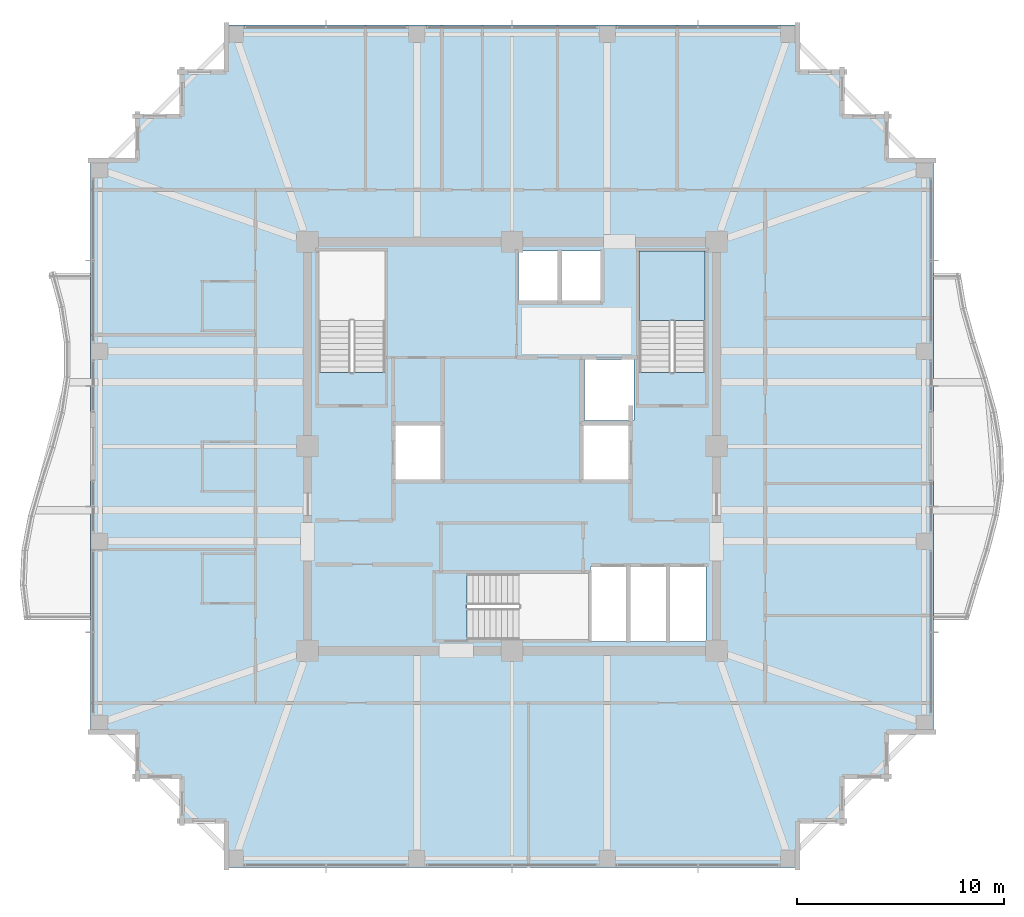
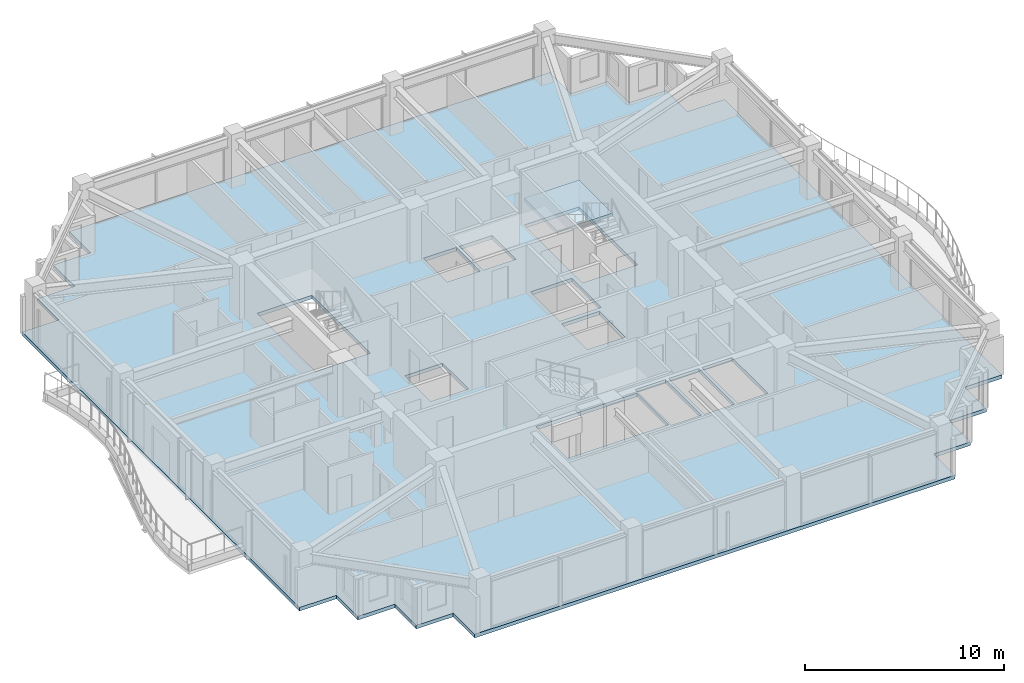
# One storey, part 24 of 34: 2 slabs, 1 element without a shape of its own.
"""IFC4 building model written with IfcOpenShell, lengths in metres."""

from ifc_helpers import new_model, si_unit, direction, frame, origin, place, context, subcontext, project, spatial, polyline, outline, extrude, material, layer, layer_set, type_object, element, aggregate, save


model = new_model("IFC4")

# Units and contexts
model_context = context("Model", 3, precision=1e-05, world=origin(), true_north=direction((0.0, 1.0)))
body_context = subcontext(model_context, "Body", "Model", "MODEL_VIEW")
ifc_project = project(units=[si_unit("LENGTHUNIT", "METRE"), si_unit("AREAUNIT", "SQUARE_METRE"), si_unit("VOLUMEUNIT", "CUBIC_METRE"), si_unit("PLANEANGLEUNIT", "RADIAN"), si_unit("MASSUNIT", "GRAM", prefix="KILO")], contexts=[model_context])

# Site, building, storey
site_placement = place(None, origin())
site = spatial("IfcSite", under=ifc_project, at=site_placement, CompositionType="ELEMENT")
building_placement = place(site_placement, origin())
building = spatial("IfcBuilding", under=site, at=building_placement, Name="Kolvaren Belvedere", CompositionType="ELEMENT")
storey_placement = place(building_placement, frame((0.0, 0.0, 229.5)))
storey = spatial("IfcBuildingStorey", under=building, at=storey_placement, Name="L67", CompositionType="ELEMENT", Elevation=229.5)

# Slab
ifc_material_1 = material(Name="Concrete C50/60", Category="concrete")
ifc_layer_1 = layer(ifc_material_1, 0.219970703125)
ifc_layer_set_1 = layer_set([ifc_layer_1], Name="Concrete C50/60")
slab_type_1 = type_object("IfcSlabType", Name="SL-FLR-220", PredefinedType="FLOOR", material=ifc_layer_set_1)
slab_1_placement = place(storey_placement, frame((0.0, 0.0, -0.219970703125)))
element("IfcSlab", 1, at=slab_1_placement, inside=storey, type_object=slab_type_1, Name="L67 Primary Structural Slab", PredefinedType="FLOOR", context=body_context, shape_type="SweptSolid", body=[
    extrude(outline(polyline([(-13.949951171875, -20.39990234375), (13.949951171875, -20.39990234375), (13.949951171875, -18.25), (16.10009765625, -18.25), (16.10009765625, -16.10009765625), (18.25, -16.10009765625), (18.25, -13.949951171875), (20.39990234375, -13.949951171875), (20.39990234375, 13.949951171875), (18.25, 13.949951171875), (18.25, 16.10009765625), (16.10009765625, 16.10009765625), (16.10009765625, 18.25), (13.949951171875, 18.25), (13.949951171875, 20.39990234375), (-13.949951171875, 20.39990234375), (-13.949951171875, 18.25), (-16.10009765625, 18.25), (-16.10009765625, 16.10009765625), (-18.25, 16.10009765625), (-18.25, 13.949951171875), (-20.39990234375, 13.949951171875), (-20.39990234375, -13.949951171875), (-18.25, -13.949951171875), (-18.25, -16.10009765625), (-16.10009765625, -16.10009765625), (-16.10009765625, -18.25), (-13.949951171875, -18.25), (-13.949951171875, -20.39990234375)]), holes=[polyline([(-9.35009765625, 3.580078125), (-6.159912109375, 3.580078125), (-6.159912109375, 9.449951171875), (-9.35009765625, 9.449951171875), (-9.35009765625, 3.580078125)]), polyline([(6.159912109375, 3.580078125), (9.35009765625, 3.580078125), (9.35009765625, 9.449951171875), (6.159912109375, 9.449951171875), (6.159912109375, 3.580078125)]), polyline([(-2.169921875, -9.35009765625), (3.699951171875, -9.35009765625), (3.699951171875, -6.159912109375), (-2.169921875, -6.159912109375), (-2.169921875, -9.35009765625)]), polyline([(-5.64990234375, -1.60009765625), (-3.449951171875, -1.60009765625), (-3.449951171875, 1.0), (-5.64990234375, 1.0), (-5.64990234375, -1.60009765625)]), polyline([(3.5, 1.25), (5.89990234375, 1.25), (5.89990234375, 4.199951171875), (3.5, 4.199951171875), (3.5, 1.25)]), polyline([(3.449951171875, -1.60009765625), (5.64990234375, -1.60009765625), (5.64990234375, 1.0), (3.449951171875, 1.0), (3.449951171875, -1.60009765625)]), polyline([(3.7900390625, -9.449951171875), (5.5400390625, -9.449951171875), (5.5400390625, -5.85009765625), (3.7900390625, -5.85009765625), (3.7900390625, -9.449951171875)]), polyline([(5.719970703125, -9.449951171875), (7.469970703125, -9.449951171875), (7.469970703125, -5.85009765625), (5.719970703125, -5.85009765625), (5.719970703125, -9.449951171875)]), polyline([(7.64990234375, -9.449951171875), (9.39990234375, -9.449951171875), (9.39990234375, -5.85009765625), (7.64990234375, -5.85009765625), (7.64990234375, -9.449951171875)]), polyline([(0.320068359375, 7.050048828125), (2.219970703125, 7.050048828125), (2.219970703125, 9.449951171875), (0.320068359375, 9.449951171875), (0.320068359375, 7.050048828125)]), polyline([(2.39990234375, 7.050048828125), (4.300048828125, 7.050048828125), (4.300048828125, 9.449951171875), (2.39990234375, 9.449951171875), (2.39990234375, 7.050048828125)])]), origin(), (0.0, 0.0, 1.0), 0.219970703125),
])

# Stair, slab
ifc_material_2 = material(Name="Concrete C50/60", Category="concrete")
stair_type = type_object("IfcStairType", Name="ST-CORE-1520", PredefinedType="HALF_TURN_STAIR", material=ifc_material_2)
stair_placement = place(storey_placement, origin())
stair = element("IfcStair", 2, at=stair_placement, inside=storey, type_object=stair_type, Name="L67 Protected Exit Stair ST-2", PredefinedType="HALF_TURN_STAIR")
ifc_material_3 = material(Name="Concrete C50/60", Category="concrete")
ifc_layer_2 = layer(ifc_material_3, 0.260009765625)
ifc_layer_set_2 = layer_set([ifc_layer_2], Name="Concrete C50/60")
slab_type_2 = type_object("IfcSlabType", Name="SL-LAND-260", PredefinedType="LANDING", material=ifc_layer_set_2)
slab_2_placement = place(storey_placement, frame((0.0, 0.0, 1.449951171875)))
slab_2 = element("IfcSlab", 3, at=slab_2_placement, type_object=slab_type_2, Name="ST-2 landing 1", PredefinedType="LANDING", context=body_context, shape_type="SweptSolid", body=[
    extrude(outline(polyline([(9.35009765625, 6.090087890625), (9.35009765625, 9.449951171875), (6.159912109375, 9.449951171875), (6.159912109375, 6.090087890625), (9.35009765625, 6.090087890625)])), origin(), (0.0, 0.0, 1.0), 0.199951171875),
])
aggregate(stair, [slab_2])

save(model, "model.ifc")
